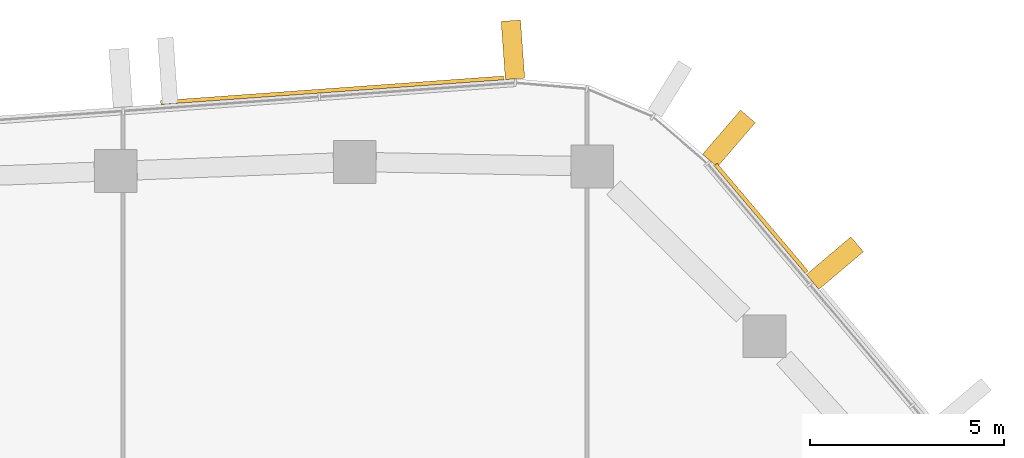
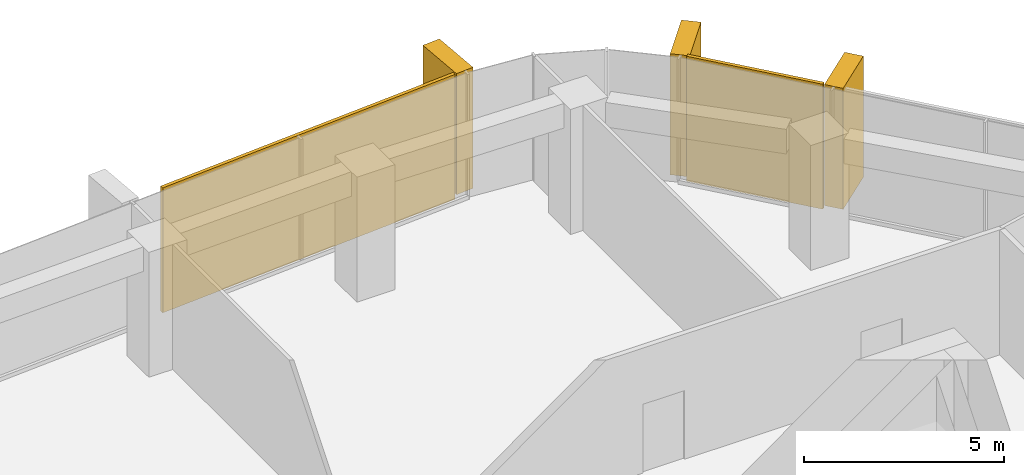
# One storey, part 21 of 21: 5 coverings, 3 elements without a shape of their own.
"""IFC4 building model written with IfcOpenShell, lengths in metres."""

import ifcopenshell
import ifcopenshell.guid

model = None  # the IFC model being written
_history = None  # IfcOwnerHistory: only IFC2X3 demands one
_inside = {}  # id of a spatial element -> (the spatial element, [elements in it])
_under = {}  # id of a project, library or spatial element -> (it, [spatial elements below it])
_declared = {}  # id of a project -> (the project, [libraries it declares])
_typed = {}  # id of a type object -> (the type object, [elements of that type])
_made_of = {}  # id of a material, layer set ... -> (it, [elements and type objects made of it])


def new_model(schema):
    """Start an empty IFC model of exactly this schema.

    Asked for "IFC4X3", IfcOpenShell would pick the latest addendum, in which some entities
    have other attributes; the version numbers below select the first issue.
    IFC2X3 requires an IfcOwnerHistory on every rooted entity: one is made here for all.
    """
    global model, _history
    if schema == "IFC4X3":
        model = ifcopenshell.file(schema_version=(4, 3, 0, 0))
    else:
        model = ifcopenshell.file(schema=schema)
    _inside.clear()
    _under.clear()
    _declared.clear()
    _typed.clear()
    _made_of.clear()
    _history = None
    if model.schema == "IFC2X3":
        org = make("IfcOrganization", Name="unknown")
        user = make(
            "IfcPersonAndOrganization",
            ThePerson=make("IfcPerson", FamilyName="unknown"),
            TheOrganization=org,
        )
        app = make(
            "IfcApplication",
            ApplicationDeveloper=org,
            Version="unknown",
            ApplicationFullName="unknown",
            ApplicationIdentifier="unknown",
        )
        _history = make(
            "IfcOwnerHistory",
            OwningUser=user,
            OwningApplication=app,
            ChangeAction="ADDED",
            CreationDate=0,
        )
    return model


def make(cls, **values):
    """One entity of the class cls with the attributes given. An attribute that is None is left unset."""
    return model.create_entity(
        cls, **{name: value for name, value in values.items() if value is not None}
    )


def rooted(cls, **values):
    """An entity with a GlobalId (a new one), such as an element, a storey or a relation."""
    return make(cls, GlobalId=ifcopenshell.guid.new(), OwnerHistory=_history, **values)


def si_unit(unit_type, name, prefix=None):
    """IfcSIUnit, for example si_unit("LENGTHUNIT", "METRE", prefix="MILLI")."""
    return make("IfcSIUnit", UnitType=unit_type, Prefix=prefix, Name=name)


def assignment(units):
    """IfcUnitAssignment: the units of a project."""
    return None if units is None else make("IfcUnitAssignment", Units=units)


def point(xyz):
    """IfcCartesianPoint."""
    return None if xyz is None else make("IfcCartesianPoint", Coordinates=xyz)


def direction(xyz):
    """IfcDirection."""
    return None if xyz is None else make("IfcDirection", DirectionRatios=xyz)


def frame(location, z_axis=None, x_axis=None):
    """IfcAxis2Placement3D, a coordinate frame: its origin and axes. An axis left out is left unset."""
    return make(
        "IfcAxis2Placement3D",
        Location=point(location),
        Axis=direction(z_axis),
        RefDirection=direction(x_axis),
    )


def frame_2d(location, x_axis=None):
    """IfcAxis2Placement2D, a coordinate frame in the plane: its origin and x axis."""
    return make(
        "IfcAxis2Placement2D", Location=point(location), RefDirection=direction(x_axis)
    )


def origin():
    """The frame at (0, 0, 0) with its axes left unset."""
    return frame((0.0, 0.0, 0.0))


def origin_2d():
    """The frame at (0, 0) in the plane with its x axis left unset."""
    return frame_2d((0.0, 0.0))


def place(relative_to, where):
    """IfcLocalPlacement: puts the frame where relative to a parent placement (None: the world)."""
    return make(
        "IfcLocalPlacement", PlacementRelTo=relative_to, RelativePlacement=where
    )


def context(
    kind, dimensions, precision=None, world=None, true_north=None, identifier=None
):
    """IfcGeometricRepresentationContext, for example the 3D "Model" context."""
    return make(
        "IfcGeometricRepresentationContext",
        ContextIdentifier=identifier,
        ContextType=kind,
        CoordinateSpaceDimension=dimensions,
        Precision=precision,
        WorldCoordinateSystem=world,
        TrueNorth=true_north,
    )


def subcontext(parent, identifier, kind, view, scale=None):
    """IfcGeometricRepresentationSubContext, for example "Body" below "Model"."""
    return make(
        "IfcGeometricRepresentationSubContext",
        ContextIdentifier=identifier,
        ContextType=kind,
        ParentContext=parent,
        TargetScale=scale,
        TargetView=view,
    )


def project(units=None, contexts=None):
    """IfcProject with its units and contexts."""
    return rooted(
        "IfcProject",
        Name="project",
        RepresentationContexts=contexts,
        UnitsInContext=assignment(units),
    )


def spatial(cls, under=None, at=None, **own):
    """A site, building, storey or space (cls), placed at a placement, below another one or the project."""
    s = rooted(cls, ObjectPlacement=at, **own)
    if under is not None:
        _under.setdefault(under.id(), (under, []))[1].append(s)
    return s


def profile(cls, at=None, kind="AREA", **sizes):
    """A parametric profile (cls). Its sizes go by their IFC names, for example OverallWidth=200.0."""
    return make(cls, ProfileType=kind, Position=at, **sizes)


def rectangle(**sizes):
    """IfcRectangleProfileDef."""
    return profile("IfcRectangleProfileDef", **sizes)


def extrude(swept, where, along, depth):
    """IfcExtrudedAreaSolid: the profile swept, set in the frame where, extruded along a direction by depth."""
    return make(
        "IfcExtrudedAreaSolid",
        SweptArea=swept,
        Position=where,
        ExtrudedDirection=direction(along),
        Depth=depth,
    )


def shape(context_of_items, identifier, shape_type, items):
    """IfcShapeRepresentation: the items that make up one representation, for example the "Body"."""
    return make(
        "IfcShapeRepresentation",
        ContextOfItems=context_of_items,
        RepresentationIdentifier=identifier,
        RepresentationType=shape_type,
        Items=items,
    )


def material(Name=None, Category=None):
    """IfcMaterial."""
    return make("IfcMaterial", Name=Name, Category=Category)


def layer(
    of_material, thickness, ventilated=None, Name=None, Category=None, Priority=None
):
    """IfcMaterialLayer: one layer of a wall or slab, of a material (None: an air gap)."""
    return make(
        "IfcMaterialLayer",
        Material=of_material,
        LayerThickness=thickness,
        IsVentilated=ventilated,
        Name=Name,
        Category=Category,
        Priority=Priority,
    )


def layer_set(layers, Name=None):
    """IfcMaterialLayerSet."""
    return make("IfcMaterialLayerSet", MaterialLayers=layers, LayerSetName=Name)


def material_profile(
    of_material, cross_section, Name=None, Category=None, Priority=None
):
    """IfcMaterialProfile: a cross section and its material."""
    return make(
        "IfcMaterialProfile",
        Name=Name,
        Material=of_material,
        Profile=cross_section,
        Priority=Priority,
        Category=Category,
    )


def profile_set(profiles, Name=None, composite=None):
    """IfcMaterialProfileSet."""
    return make(
        "IfcMaterialProfileSet",
        Name=Name,
        MaterialProfiles=profiles,
        CompositeProfile=composite,
    )


def made_of(thing, what):
    """Note that an element or type object is made of a material, layer set ...; save() writes the relation."""
    if what is not None:
        _made_of.setdefault(what.id(), (what, []))[1].append(thing)
    return thing


def type_object(cls, material=None, **own):
    """A type object (cls), such as IfcWallType, which elements share."""
    return made_of(rooted(cls, **own), material)


def element(
    cls,
    number,
    at=None,
    inside=None,
    cuts=None,
    type_object=None,
    material=None,
    context=None,
    identifier="Body",
    shape_type=None,
    held_by="IfcProductDefinitionShape",
    body=None,
    shapes=None,
    **own,
):
    """One element of the class cls, such as IfcWall. Its Tag is "e" and its number.

    at: its placement. inside: the storey or other place that contains it. cuts: it is an
    opening in that element (IfcRelVoidsElement). A single representation is given by context,
    identifier, shape_type and body (its items); several are given by shapes. held_by: the class
    of the entity that holds the representations. save() writes the other relations.
    """
    e = rooted(cls, Tag="e%d" % number, ObjectPlacement=at, **own)
    if body is not None:
        shapes = [shape(context, identifier, shape_type, body)]
    if shapes is not None:
        e.Representation = make(held_by, Representations=shapes)
    if inside is not None:
        _inside.setdefault(inside.id(), (inside, []))[1].append(e)
    if cuts is not None:
        rooted(
            "IfcRelVoidsElement", RelatingBuildingElement=cuts, RelatedOpeningElement=e
        )
    if type_object is not None:
        _typed.setdefault(type_object.id(), (type_object, []))[1].append(e)
    return made_of(e, material)


def aggregate(whole, parts):
    """IfcRelAggregates: a whole, such as a stair, and the parts it consists of."""
    return rooted("IfcRelAggregates", RelatingObject=whole, RelatedObjects=parts)


def save(model, path):
    """Write the relations noted so far, then the file.

    IfcRelAggregates (storeys below a building ...), IfcRelContainedInSpatialStructure (elements
    in a storey), IfcRelDefinesByType, IfcRelAssociatesMaterial and IfcRelDeclares: one each for
    every whole, place, type object, material and project.
    """
    for whole, parts in _under.values():
        aggregate(whole, parts)
    for where, things in _inside.values():
        rooted(
            "IfcRelContainedInSpatialStructure",
            RelatedElements=things,
            RelatingStructure=where,
        )
    for kind, things in _typed.values():
        rooted("IfcRelDefinesByType", RelatedObjects=things, RelatingType=kind)
    for what, things in _made_of.values():
        rooted("IfcRelAssociatesMaterial", RelatedObjects=things, RelatingMaterial=what)
    for by, libraries in _declared.values():
        rooted("IfcRelDeclares", RelatingContext=by, RelatedDefinitions=libraries)
    model.write(path)


model = new_model("IFC4")

# Units and contexts
model_context = context("Model", 3, precision=1e-05, world=origin(), true_north=direction((0.0, 1.0)))
body_context = subcontext(model_context, "Body", "Model", "MODEL_VIEW")
ifc_project = project(units=[si_unit("LENGTHUNIT", "METRE"), si_unit("AREAUNIT", "SQUARE_METRE"), si_unit("VOLUMEUNIT", "CUBIC_METRE"), si_unit("PLANEANGLEUNIT", "RADIAN"), si_unit("MASSUNIT", "GRAM", prefix="KILO")], contexts=[model_context])

# Site, building, storey
site_placement = place(None, origin())
site = spatial("IfcSite", under=ifc_project, at=site_placement, CompositionType="ELEMENT")
building_placement = place(site_placement, origin())
building = spatial("IfcBuilding", under=site, at=building_placement, Name="Dongbaek Canopy Tower", CompositionType="ELEMENT")
storey_placement = place(building_placement, frame((0.0, 0.0, 270.60009765625)))
storey = spatial("IfcBuildingStorey", under=building, at=storey_placement, Name="L57", CompositionType="ELEMENT", Elevation=270.60009765625)

# Curtain wall, covering
ifc_material_1 = material(Name="Aluminium 6063-T6 pale anodised", Category="aluminium")
ifc_layer_1 = layer(ifc_material_1, 0.199951171875)
ifc_layer_set_1 = layer_set([ifc_layer_1], Name="CW-1 unitised tower curtain wall")
curtain_wall_type = type_object("IfcCurtainWallType", Name="CW-1 unitised tower curtain wall", PredefinedType="NOTDEFINED", material=ifc_layer_set_1)
curtain_wall_1_placement = place(storey_placement, origin())
curtain_wall_1 = element("IfcCurtainWall", 1, at=curtain_wall_1_placement, inside=storey, type_object=curtain_wall_type, Name="CW-1 curtain wall F0.1", PredefinedType="NOTDEFINED")
ifc_material_2 = material(Name="Perforated aluminium 6063-T6 pale metal screen", Category="aluminium")
ifc_layer_2 = layer(ifc_material_2, 0.10009765625)
ifc_layer_set_2 = layer_set([ifc_layer_2], Name="Facet screen FS1 100 pale metal")
covering_type_1 = type_object("IfcCoveringType", Name="Facet screen FS1 100 pale metal", PredefinedType="CLADDING", material=ifc_layer_set_2)
covering_1_placement = place(storey_placement, frame((15.335205078125, 23.26220703125, 0.0), z_axis=(0.0, 0.0, 1.0), x_axis=(-0.6460547082, 0.763291106991, 0.0)))
covering_1 = element("IfcCovering", 2, at=covering_1_placement, type_object=covering_type_1, Name="Facet screen L57 F0", PredefinedType="CLADDING", context=body_context, shape_type="SweptSolid", body=[
    extrude(rectangle(XDim=3.627197265625, YDim=0.10009765625, at=origin_2d()), origin(), (0.0, 0.0, 1.0), 3.820068359375),
])

curtain_wall_2_placement = place(storey_placement, origin())
curtain_wall_2 = element("IfcCurtainWall", 3, at=curtain_wall_2_placement, inside=storey, type_object=curtain_wall_type, Name="CW-1 curtain wall F1.1", PredefinedType="NOTDEFINED")
covering_2_placement = place(storey_placement, frame((4.300537109375, 26.558349609375, 0.0), z_axis=(0.0, 0.0, 1.0), x_axis=(-0.997423032604, -0.07174464462, 0.0)))
covering_2 = element("IfcCovering", 4, at=covering_2_placement, type_object=covering_type_1, Name="Facet screen L57 F1", PredefinedType="CLADDING", context=body_context, shape_type="SweptSolid", body=[
    extrude(rectangle(XDim=8.843994140625, YDim=0.10009765625, at=origin_2d()), origin(), (0.0, 0.0, 1.0), 3.820068359375),
])

# Covering
ifc_material_3 = material(Name="Aluminium 6063-T6 pale metal fin", Category="aluminium")
ifc_material_profile = material_profile(ifc_material_3, rectangle(XDim=1.5, YDim=0.5, at=origin_2d()), Name="Fin FN1 500 x 1500 pale metal")
ifc_profile_set = profile_set([ifc_material_profile], Name="Aluminium 6063-T6 pale metal fin")
covering_type_2 = type_object("IfcCoveringType", Name="Fin FN1 500 x 1500 pale metal", PredefinedType="CLADDING", material=ifc_profile_set)
covering_3_placement = place(storey_placement, frame((17.231689453125, 22.111083984375, 0.119873046875), z_axis=(0.0, 0.0, 1.0), x_axis=(0.763290756517, 0.646055122273, 0.0)))
covering_3 = element("IfcCovering", 5, at=covering_3_placement, type_object=covering_type_2, Name="Fin F0.1.5", PredefinedType="CLADDING", context=body_context, shape_type="SweptSolid", body=[
    extrude(rectangle(XDim=1.5, YDim=0.5, at=origin_2d()), origin(), (0.0, 0.0, 1.0), 3.699951171875),
])

aggregate(curtain_wall_1, [covering_3, covering_1])

# Curtain wall, covering
curtain_wall_3_placement = place(storey_placement, origin())
curtain_wall_3 = element("IfcCurtainWall", 6, at=curtain_wall_3_placement, inside=storey, type_object=curtain_wall_type, Name="CW-1 curtain wall K1.1", PredefinedType="NOTDEFINED")
covering_4_placement = place(storey_placement, frame((14.505615234375, 25.31591796875, 0.119873046875), z_axis=(0.0, 0.0, 1.0), x_axis=(0.653115962595, 0.757257908115, 0.0)))
covering_4 = element("IfcCovering", 7, at=covering_4_placement, type_object=covering_type_2, Name="Fin K1.1.1", PredefinedType="CLADDING", context=body_context, shape_type="SweptSolid", body=[
    extrude(rectangle(XDim=1.5, YDim=0.5, at=origin_2d()), origin(), (0.0, 0.0, 1.0), 3.699951171875),
])
aggregate(curtain_wall_3, [covering_4])

# Covering
covering_5_placement = place(storey_placement, frame((8.949951171875, 27.5986328125, 0.119873046875), z_axis=(0.0, 0.0, 1.0), x_axis=(-0.07174408026, 0.997423073198, 0.0)))
covering_5 = element("IfcCovering", 8, at=covering_5_placement, type_object=covering_type_2, Name="Fin F1.1.1", PredefinedType="CLADDING", context=body_context, shape_type="SweptSolid", body=[
    extrude(rectangle(XDim=1.5, YDim=0.5, at=origin_2d()), origin(), (0.0, 0.0, 1.0), 3.699951171875),
])

aggregate(curtain_wall_2, [covering_5, covering_2])

save(model, "model.ifc")
